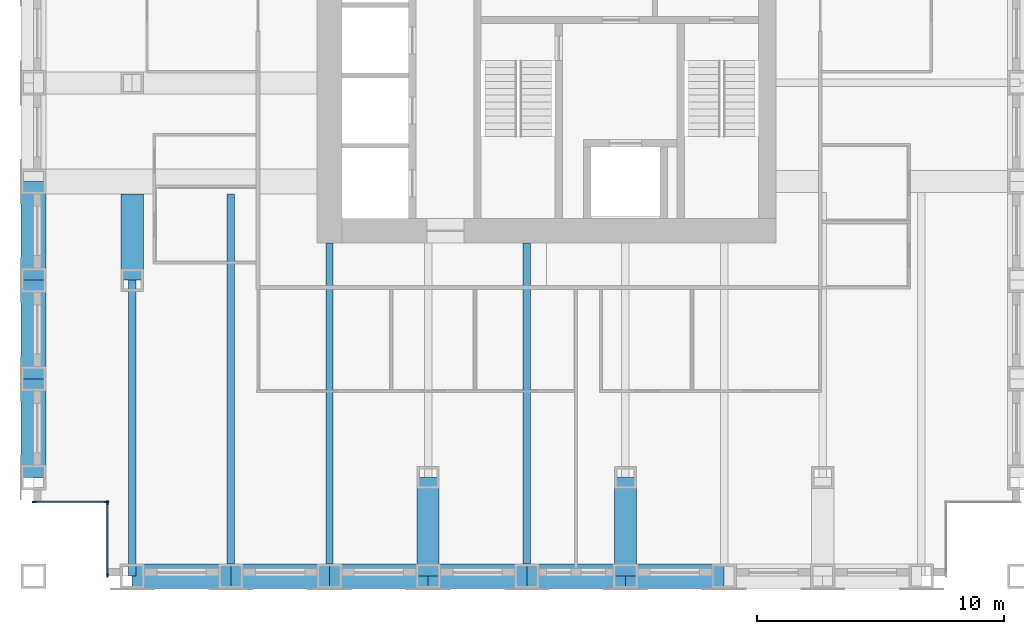
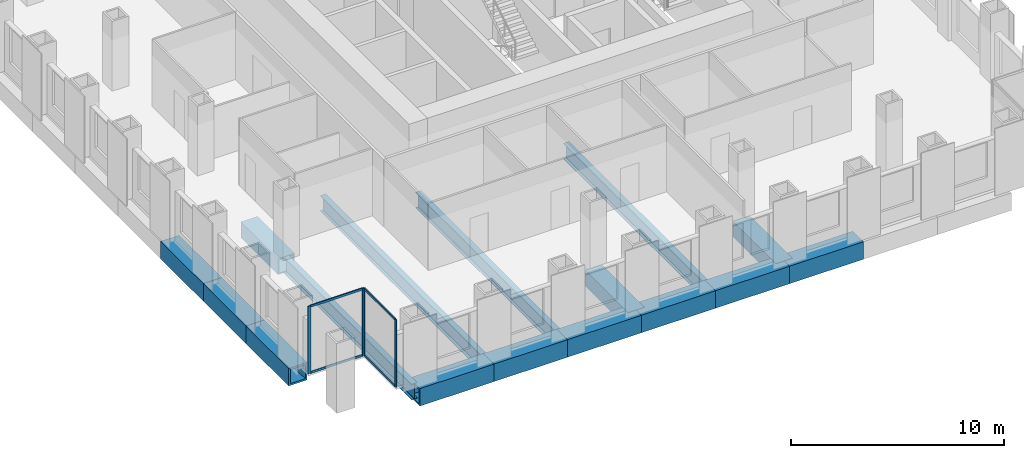
# One storey, part 2 of 12: 16 beams, 8 members, 2 elements without a shape of their own.
"""IFC4 building model written with IfcOpenShell, lengths in metres."""

import ifcopenshell
import ifcopenshell.guid

model = None  # the IFC model being written
_history = None  # IfcOwnerHistory: only IFC2X3 demands one
_inside = {}  # id of a spatial element -> (the spatial element, [elements in it])
_under = {}  # id of a project, library or spatial element -> (it, [spatial elements below it])
_declared = {}  # id of a project -> (the project, [libraries it declares])
_typed = {}  # id of a type object -> (the type object, [elements of that type])
_made_of = {}  # id of a material, layer set ... -> (it, [elements and type objects made of it])


def new_model(schema):
    """Start an empty IFC model of exactly this schema.

    Asked for "IFC4X3", IfcOpenShell would pick the latest addendum, in which some entities
    have other attributes; the version numbers below select the first issue.
    IFC2X3 requires an IfcOwnerHistory on every rooted entity: one is made here for all.
    """
    global model, _history
    if schema == "IFC4X3":
        model = ifcopenshell.file(schema_version=(4, 3, 0, 0))
    else:
        model = ifcopenshell.file(schema=schema)
    _inside.clear()
    _under.clear()
    _declared.clear()
    _typed.clear()
    _made_of.clear()
    _history = None
    if model.schema == "IFC2X3":
        org = make("IfcOrganization", Name="unknown")
        user = make(
            "IfcPersonAndOrganization",
            ThePerson=make("IfcPerson", FamilyName="unknown"),
            TheOrganization=org,
        )
        app = make(
            "IfcApplication",
            ApplicationDeveloper=org,
            Version="unknown",
            ApplicationFullName="unknown",
            ApplicationIdentifier="unknown",
        )
        _history = make(
            "IfcOwnerHistory",
            OwningUser=user,
            OwningApplication=app,
            ChangeAction="ADDED",
            CreationDate=0,
        )
    return model


def make(cls, **values):
    """One entity of the class cls with the attributes given. An attribute that is None is left unset."""
    return model.create_entity(
        cls, **{name: value for name, value in values.items() if value is not None}
    )


def rooted(cls, **values):
    """An entity with a GlobalId (a new one), such as an element, a storey or a relation."""
    return make(cls, GlobalId=ifcopenshell.guid.new(), OwnerHistory=_history, **values)


def si_unit(unit_type, name, prefix=None):
    """IfcSIUnit, for example si_unit("LENGTHUNIT", "METRE", prefix="MILLI")."""
    return make("IfcSIUnit", UnitType=unit_type, Prefix=prefix, Name=name)


def assignment(units):
    """IfcUnitAssignment: the units of a project."""
    return None if units is None else make("IfcUnitAssignment", Units=units)


def point(xyz):
    """IfcCartesianPoint."""
    return None if xyz is None else make("IfcCartesianPoint", Coordinates=xyz)


def direction(xyz):
    """IfcDirection."""
    return None if xyz is None else make("IfcDirection", DirectionRatios=xyz)


def frame(location, z_axis=None, x_axis=None):
    """IfcAxis2Placement3D, a coordinate frame: its origin and axes. An axis left out is left unset."""
    return make(
        "IfcAxis2Placement3D",
        Location=point(location),
        Axis=direction(z_axis),
        RefDirection=direction(x_axis),
    )


def frame_2d(location, x_axis=None):
    """IfcAxis2Placement2D, a coordinate frame in the plane: its origin and x axis."""
    return make(
        "IfcAxis2Placement2D", Location=point(location), RefDirection=direction(x_axis)
    )


def origin():
    """The frame at (0, 0, 0) with its axes left unset."""
    return frame((0.0, 0.0, 0.0))


def origin_2d():
    """The frame at (0, 0) in the plane with its x axis left unset."""
    return frame_2d((0.0, 0.0))


def place(relative_to, where):
    """IfcLocalPlacement: puts the frame where relative to a parent placement (None: the world)."""
    return make(
        "IfcLocalPlacement", PlacementRelTo=relative_to, RelativePlacement=where
    )


def context(
    kind, dimensions, precision=None, world=None, true_north=None, identifier=None
):
    """IfcGeometricRepresentationContext, for example the 3D "Model" context."""
    return make(
        "IfcGeometricRepresentationContext",
        ContextIdentifier=identifier,
        ContextType=kind,
        CoordinateSpaceDimension=dimensions,
        Precision=precision,
        WorldCoordinateSystem=world,
        TrueNorth=true_north,
    )


def subcontext(parent, identifier, kind, view, scale=None):
    """IfcGeometricRepresentationSubContext, for example "Body" below "Model"."""
    return make(
        "IfcGeometricRepresentationSubContext",
        ContextIdentifier=identifier,
        ContextType=kind,
        ParentContext=parent,
        TargetScale=scale,
        TargetView=view,
    )


def project(units=None, contexts=None):
    """IfcProject with its units and contexts."""
    return rooted(
        "IfcProject",
        Name="project",
        RepresentationContexts=contexts,
        UnitsInContext=assignment(units),
    )


def spatial(cls, under=None, at=None, **own):
    """A site, building, storey or space (cls), placed at a placement, below another one or the project."""
    s = rooted(cls, ObjectPlacement=at, **own)
    if under is not None:
        _under.setdefault(under.id(), (under, []))[1].append(s)
    return s


def profile(cls, at=None, kind="AREA", **sizes):
    """A parametric profile (cls). Its sizes go by their IFC names, for example OverallWidth=200.0."""
    return make(cls, ProfileType=kind, Position=at, **sizes)


def rectangle(**sizes):
    """IfcRectangleProfileDef."""
    return profile("IfcRectangleProfileDef", **sizes)


def hollow_rectangle(**sizes):
    """IfcRectangleHollowProfileDef."""
    return profile("IfcRectangleHollowProfileDef", **sizes)


def i_section(**sizes):
    """IfcIShapeProfileDef."""
    return profile("IfcIShapeProfileDef", **sizes)


def extrude(swept, where, along, depth):
    """IfcExtrudedAreaSolid: the profile swept, set in the frame where, extruded along a direction by depth."""
    return make(
        "IfcExtrudedAreaSolid",
        SweptArea=swept,
        Position=where,
        ExtrudedDirection=direction(along),
        Depth=depth,
    )


def shape(context_of_items, identifier, shape_type, items):
    """IfcShapeRepresentation: the items that make up one representation, for example the "Body"."""
    return make(
        "IfcShapeRepresentation",
        ContextOfItems=context_of_items,
        RepresentationIdentifier=identifier,
        RepresentationType=shape_type,
        Items=items,
    )


def material(Name=None, Category=None):
    """IfcMaterial."""
    return make("IfcMaterial", Name=Name, Category=Category)


def material_profile(
    of_material, cross_section, Name=None, Category=None, Priority=None
):
    """IfcMaterialProfile: a cross section and its material."""
    return make(
        "IfcMaterialProfile",
        Name=Name,
        Material=of_material,
        Profile=cross_section,
        Priority=Priority,
        Category=Category,
    )


def profile_set(profiles, Name=None, composite=None):
    """IfcMaterialProfileSet."""
    return make(
        "IfcMaterialProfileSet",
        Name=Name,
        MaterialProfiles=profiles,
        CompositeProfile=composite,
    )


def made_of(thing, what):
    """Note that an element or type object is made of a material, layer set ...; save() writes the relation."""
    if what is not None:
        _made_of.setdefault(what.id(), (what, []))[1].append(thing)
    return thing


def type_object(cls, material=None, **own):
    """A type object (cls), such as IfcWallType, which elements share."""
    return made_of(rooted(cls, **own), material)


def element(
    cls,
    number,
    at=None,
    inside=None,
    cuts=None,
    type_object=None,
    material=None,
    context=None,
    identifier="Body",
    shape_type=None,
    held_by="IfcProductDefinitionShape",
    body=None,
    shapes=None,
    **own,
):
    """One element of the class cls, such as IfcWall. Its Tag is "e" and its number.

    at: its placement. inside: the storey or other place that contains it. cuts: it is an
    opening in that element (IfcRelVoidsElement). A single representation is given by context,
    identifier, shape_type and body (its items); several are given by shapes. held_by: the class
    of the entity that holds the representations. save() writes the other relations.
    """
    e = rooted(cls, Tag="e%d" % number, ObjectPlacement=at, **own)
    if body is not None:
        shapes = [shape(context, identifier, shape_type, body)]
    if shapes is not None:
        e.Representation = make(held_by, Representations=shapes)
    if inside is not None:
        _inside.setdefault(inside.id(), (inside, []))[1].append(e)
    if cuts is not None:
        rooted(
            "IfcRelVoidsElement", RelatingBuildingElement=cuts, RelatedOpeningElement=e
        )
    if type_object is not None:
        _typed.setdefault(type_object.id(), (type_object, []))[1].append(e)
    return made_of(e, material)


def aggregate(whole, parts):
    """IfcRelAggregates: a whole, such as a stair, and the parts it consists of."""
    return rooted("IfcRelAggregates", RelatingObject=whole, RelatedObjects=parts)


def save(model, path):
    """Write the relations noted so far, then the file.

    IfcRelAggregates (storeys below a building ...), IfcRelContainedInSpatialStructure (elements
    in a storey), IfcRelDefinesByType, IfcRelAssociatesMaterial and IfcRelDeclares: one each for
    every whole, place, type object, material and project.
    """
    for whole, parts in _under.values():
        aggregate(whole, parts)
    for where, things in _inside.values():
        rooted(
            "IfcRelContainedInSpatialStructure",
            RelatedElements=things,
            RelatingStructure=where,
        )
    for kind, things in _typed.values():
        rooted("IfcRelDefinesByType", RelatedObjects=things, RelatingType=kind)
    for what, things in _made_of.values():
        rooted("IfcRelAssociatesMaterial", RelatedObjects=things, RelatingMaterial=what)
    for by, libraries in _declared.values():
        rooted("IfcRelDeclares", RelatingContext=by, RelatedDefinitions=libraries)
    model.write(path)


model = new_model("IFC4")

# Units and contexts
model_context = context("Model", 3, precision=1e-05, world=origin(), true_north=direction((0.0, 1.0)))
body_context = subcontext(model_context, "Body", "Model", "MODEL_VIEW")
ifc_project = project(units=[si_unit("LENGTHUNIT", "METRE"), si_unit("AREAUNIT", "SQUARE_METRE"), si_unit("VOLUMEUNIT", "CUBIC_METRE"), si_unit("PLANEANGLEUNIT", "RADIAN"), si_unit("MASSUNIT", "GRAM", prefix="KILO")], contexts=[model_context])

# Site, building, storey
site_placement = place(None, origin())
site = spatial("IfcSite", under=ifc_project, at=site_placement, CompositionType="ELEMENT")
building_placement = place(site_placement, origin())
building = spatial("IfcBuilding", under=site, at=building_placement, Name="Rimbunsela Tower", CompositionType="ELEMENT")
storey_placement = place(building_placement, frame((0.0, 0.0, 147.800048828125)))
storey = spatial("IfcBuildingStorey", under=building, at=storey_placement, Name="L35", CompositionType="ELEMENT", Elevation=147.800048828125)

# Beams
ifc_material_1 = material(Name="Steel BJ 55 (fy 410 MPa)", Category="steel")
ifc_material_profile_1 = material_profile(ifc_material_1, hollow_rectangle(XDim=1.0, YDim=1.0, WallThickness=0.10009765625, at=origin_2d()), Name="BOX 1000x1000x100")
ifc_profile_set_1 = profile_set([ifc_material_profile_1], Name="Steel BJ 55 (fy 410 MPa)")
beam_type_1 = type_object("IfcBeamType", Name="Beam BOX 1000x1000x100", PredefinedType="BEAM", material=ifc_profile_set_1)
for number, where, z_axis, x_axis, name in (
    (1, (6.0, 8.0, -0.650146484375), (0.0, 1.0, 0.0), (-1.0, 0.0, 0.0), "Beam B3 L35"),
    (2, (6.0, 12.0, -0.650146484375), (0.0, 1.0, 0.0), (-1.0, 0.0, 0.0), "Beam B3 L35"),
    (3, (6.0, 16.0, -0.650146484375), (0.0, 1.0, 0.0), (-1.0, 0.0, 0.0), "Beam B3 L35"),
    (4, (10.0, 4.0, -0.650146484375), (1.0, 0.0, 0.0), (0.0, 1.0, 0.0), "Beam B3 L35"),
    (5, (14.0, 4.0, -0.650146484375), (1.0, 0.0, 0.0), (0.0, 1.0, 0.0), "Beam B3 L35"),
    (6, (18.0, 4.0, -0.650146484375), (1.0, 0.0, 0.0), (0.0, 1.0, 0.0), "Beam B3 L35"),
    (7, (22.0, 4.0, -0.650146484375), (1.0, 0.0, 0.0), (0.0, 1.0, 0.0), "Beam B3 L35"),
    (8, (26.0, 4.0, -0.650146484375), (1.0, 0.0, 0.0), (0.0, 1.0, 0.0), "Beam B3 L35"),
    (9, (30.0, 4.0, -0.650146484375), (1.0, 0.0, 0.0), (0.0, 1.0, 0.0), "Beam B3 L35"),
):
    element("IfcBeam", number, at=place(storey_placement, frame(where, z_axis=z_axis, x_axis=x_axis)), inside=storey, type_object=beam_type_1, Name=name, PredefinedType="BEAM", context=body_context, shape_type="SweptSolid", body=[
        extrude(hollow_rectangle(XDim=1.0, YDim=1.0, WallThickness=0.10009765625, at=origin_2d()), origin(), (0.0, 0.0, 1.0), 4.0),
    ])
ifc_material_2 = material(Name="Steel BJ 55 (fy 410 MPa)", Category="steel")
ifc_material_profile_2 = material_profile(ifc_material_2, hollow_rectangle(XDim=0.89990234375, YDim=0.89990234375, WallThickness=0.06005859375, at=origin_2d()), Name="BOX 900x900x60")
ifc_profile_set_2 = profile_set([ifc_material_profile_2], Name="Steel BJ 55 (fy 410 MPa)")
beam_type_2 = type_object("IfcBeamType", Name="Beam BOX 900x900x60", PredefinedType="BEAM", material=ifc_profile_set_2)
beam_1_placement = place(storey_placement, frame((10.0, 16.0, -0.60009765625), z_axis=(0.0, 1.0, 0.0), x_axis=(-1.0, 0.0, 0.0)))
element("IfcBeam", 10, at=beam_1_placement, inside=storey, type_object=beam_type_2, Name="Beam B1 L35", PredefinedType="BEAM", context=body_context, shape_type="SweptSolid", body=[
    extrude(hollow_rectangle(XDim=0.89990234375, YDim=0.89990234375, WallThickness=0.06005859375, at=origin_2d()), origin(), (0.0, 0.0, 1.0), 3.5),
])
for number, where, z_axis, x_axis, name in (
    (11, (22.0, 4.0, -0.60009765625), (0.0, 1.0, 0.0), (-1.0, 0.0, 0.0), "Beam B1 L35"),
    (12, (30.0, 4.0, -0.60009765625), (0.0, 1.0, 0.0), (-1.0, 0.0, 0.0), "Beam B1 L35"),
):
    element("IfcBeam", number, at=place(storey_placement, frame(where, z_axis=z_axis, x_axis=x_axis)), inside=storey, type_object=beam_type_2, Name=name, PredefinedType="BEAM", context=body_context, shape_type="SweptSolid", body=[
        extrude(hollow_rectangle(XDim=0.89990234375, YDim=0.89990234375, WallThickness=0.06005859375, at=origin_2d()), origin(), (0.0, 0.0, 1.0), 4.0),
    ])
ifc_material_3 = material(Name="Steel BJ 55 (fy 410 MPa)", Category="steel")
ifc_material_profile_3 = material_profile(ifc_material_3, i_section(OverallWidth=0.300048828125, OverallDepth=0.89990234375, WebThickness=0.01611328125, FlangeThickness=0.028076171875, FilletRadius=0.028076171875, at=origin_2d()), Name="H 900x300x16x28")
ifc_profile_set_3 = profile_set([ifc_material_profile_3], Name="Steel BJ 55 (fy 410 MPa)")
beam_type_3 = type_object("IfcBeamType", Name="Beam H 900x300x16x28", PredefinedType="BEAM", material=ifc_profile_set_3)
beam_2_placement = place(storey_placement, frame((10.0, 4.0, -0.60009765625), z_axis=(0.0, 1.0, 0.0), x_axis=(-1.0, 0.0, 0.0)))
element("IfcBeam", 13, at=beam_2_placement, inside=storey, type_object=beam_type_3, Name="Beam B2 L35", PredefinedType="BEAM", context=body_context, shape_type="SweptSolid", body=[
    extrude(i_section(OverallWidth=0.300048828125, OverallDepth=0.89990234375, WebThickness=0.01611328125, FlangeThickness=0.028076171875, FilletRadius=0.028076171875, at=origin_2d()), origin(), (0.0, 0.0, 1.0), 12.0),
])
beam_3_placement = place(storey_placement, frame((14.0, 4.0, -0.60009765625), z_axis=(0.0, 1.0, 0.0), x_axis=(-1.0, 0.0, 0.0)))
element("IfcBeam", 14, at=beam_3_placement, inside=storey, type_object=beam_type_3, Name="Beam B2 L35", PredefinedType="BEAM", context=body_context, shape_type="SweptSolid", body=[
    extrude(i_section(OverallWidth=0.300048828125, OverallDepth=0.89990234375, WebThickness=0.01611328125, FlangeThickness=0.028076171875, FilletRadius=0.028076171875, at=origin_2d()), origin(), (0.0, 0.0, 1.0), 15.5),
])
for number, where, z_axis, x_axis, name in (
    (15, (18.0, 4.0, -0.60009765625), (0.0, 1.0, 0.0), (-1.0, 0.0, 0.0), "Beam B2 L35"),
    (16, (26.0, 4.0, -0.60009765625), (0.0, 1.0, 0.0), (-1.0, 0.0, 0.0), "Beam B2 L35"),
):
    element("IfcBeam", number, at=place(storey_placement, frame(where, z_axis=z_axis, x_axis=x_axis)), inside=storey, type_object=beam_type_3, Name=name, PredefinedType="BEAM", context=body_context, shape_type="SweptSolid", body=[
        extrude(i_section(OverallWidth=0.300048828125, OverallDepth=0.89990234375, WebThickness=0.01611328125, FlangeThickness=0.028076171875, FilletRadius=0.028076171875, at=origin_2d()), origin(), (0.0, 0.0, 1.0), 13.5),
    ])

# Curtain wall, members
ifc_material_4 = material(Name="Aluminium curtain wall", Category="aluminium")
curtain_wall_type = type_object("IfcCurtainWallType", Name="Corner glazing", PredefinedType="USERDEFINED", material=ifc_material_4)
curtain_wall_1_placement = place(storey_placement, origin())
curtain_wall_1 = element("IfcCurtainWall", 17, at=curtain_wall_1_placement, inside=storey, type_object=curtain_wall_type, Name="Corner glazing L35", ObjectType="CORNER GLAZING", PredefinedType="USERDEFINED")
ifc_material_5 = material(Name="Aluminium mullion", Category="aluminium")
ifc_material_profile_4 = material_profile(ifc_material_5, rectangle(XDim=0.06005859375, YDim=0.159912109375, at=origin_2d()), Name="Mullion 60x160")
ifc_profile_set_4 = profile_set([ifc_material_profile_4], Name="Aluminium mullion")
member_type_1 = type_object("IfcMemberType", Name="Curtain wall mullion 60x160", PredefinedType="MULLION", material=ifc_profile_set_4)
member_1_placement = place(storey_placement, frame((6.030029296875, 7.0, 0.0), z_axis=(0.0, 0.0, 1.0), x_axis=(0.0, 1.0, 0.0)))
member_1 = element("IfcMember", 18, at=member_1_placement, type_object=member_type_1, Name="CW5 mullion 1", PredefinedType="MULLION", context=body_context, shape_type="SweptSolid", body=[
    extrude(rectangle(XDim=0.06005859375, YDim=0.159912109375, at=origin_2d()), origin(), (0.0, 0.0, 1.0), 3.849853515625),
])
member_2_placement = place(storey_placement, frame((8.969970703125, 7.0, 0.0), z_axis=(0.0, 0.0, 1.0), x_axis=(0.0, 1.0, 0.0)))
member_2 = element("IfcMember", 19, at=member_2_placement, type_object=member_type_1, Name="CW5 mullion 2", PredefinedType="MULLION", context=body_context, shape_type="SweptSolid", body=[
    extrude(rectangle(XDim=0.06005859375, YDim=0.159912109375, at=origin_2d()), origin(), (0.0, 0.0, 1.0), 3.849853515625),
])

curtain_wall_2_placement = place(storey_placement, origin())
curtain_wall_2 = element("IfcCurtainWall", 20, at=curtain_wall_2_placement, inside=storey, type_object=curtain_wall_type, Name="Corner glazing L35", ObjectType="CORNER GLAZING", PredefinedType="USERDEFINED")
member_3_placement = place(storey_placement, frame((9.0, 6.969970703125, 0.0), z_axis=(0.0, 0.0, 1.0), x_axis=(1.0, 0.0, 0.0)))
member_3 = element("IfcMember", 21, at=member_3_placement, type_object=member_type_1, Name="CW5 mullion 1", PredefinedType="MULLION", context=body_context, shape_type="SweptSolid", body=[
    extrude(rectangle(XDim=0.06005859375, YDim=0.159912109375, at=origin_2d()), origin(), (0.0, 0.0, 1.0), 3.849853515625),
])
member_4_placement = place(storey_placement, frame((9.0, 4.030029296875, 0.0), z_axis=(0.0, 0.0, 1.0), x_axis=(1.0, 0.0, 0.0)))
member_4 = element("IfcMember", 22, at=member_4_placement, type_object=member_type_1, Name="CW5 mullion 2", PredefinedType="MULLION", context=body_context, shape_type="SweptSolid", body=[
    extrude(rectangle(XDim=0.06005859375, YDim=0.159912109375, at=origin_2d()), origin(), (0.0, 0.0, 1.0), 3.849853515625),
])

# Member
ifc_material_6 = material(Name="Aluminium transom", Category="aluminium")
ifc_material_profile_5 = material_profile(ifc_material_6, rectangle(XDim=0.06005859375, YDim=0.1201171875, at=origin_2d()), Name="Transom 60x120")
ifc_profile_set_5 = profile_set([ifc_material_profile_5], Name="Aluminium transom")
member_type_2 = type_object("IfcMemberType", Name="Curtain wall transom 60x120", PredefinedType="USERDEFINED", material=ifc_profile_set_5)
member_5_placement = place(storey_placement, frame((6.06005859375, 7.0, 0.030029296875), z_axis=(1.0, 0.0, 0.0), x_axis=(0.0, 1.0, 0.0)))
member_5 = element("IfcMember", 23, at=member_5_placement, type_object=member_type_2, Name="CW5 transom 1.1", ObjectType="TRANSOM", PredefinedType="USERDEFINED", context=body_context, shape_type="SweptSolid", body=[
    extrude(rectangle(XDim=0.06005859375, YDim=0.1201171875, at=origin_2d()), origin(), (0.0, 0.0, 1.0), 2.8798828125),
])

member_6_placement = place(storey_placement, frame((6.06005859375, 7.0, 3.820068359375), z_axis=(1.0, 0.0, 0.0), x_axis=(0.0, 1.0, 0.0)))
member_6 = element("IfcMember", 24, at=member_6_placement, type_object=member_type_2, Name="CW5 transom 1.2", ObjectType="TRANSOM", PredefinedType="USERDEFINED", context=body_context, shape_type="SweptSolid", body=[
    extrude(rectangle(XDim=0.06005859375, YDim=0.1201171875, at=origin_2d()), origin(), (0.0, 0.0, 1.0), 2.8798828125),
])

aggregate(curtain_wall_1, [member_1, member_2, member_5, member_6])

member_7_placement = place(storey_placement, frame((9.0, 6.93994140625, 0.030029296875), z_axis=(0.0, -1.0, 0.0), x_axis=(1.0, 0.0, 0.0)))
member_7 = element("IfcMember", 25, at=member_7_placement, type_object=member_type_2, Name="CW5 transom 1.1", ObjectType="TRANSOM", PredefinedType="USERDEFINED", context=body_context, shape_type="SweptSolid", body=[
    extrude(rectangle(XDim=0.06005859375, YDim=0.1201171875, at=origin_2d()), origin(), (0.0, 0.0, 1.0), 2.8798828125),
])

member_8_placement = place(storey_placement, frame((9.0, 6.93994140625, 3.820068359375), z_axis=(0.0, -1.0, 0.0), x_axis=(1.0, 0.0, 0.0)))
member_8 = element("IfcMember", 26, at=member_8_placement, type_object=member_type_2, Name="CW5 transom 1.2", ObjectType="TRANSOM", PredefinedType="USERDEFINED", context=body_context, shape_type="SweptSolid", body=[
    extrude(rectangle(XDim=0.06005859375, YDim=0.1201171875, at=origin_2d()), origin(), (0.0, 0.0, 1.0), 2.8798828125),
])

aggregate(curtain_wall_2, [member_3, member_4, member_7, member_8])

save(model, "model.ifc")
